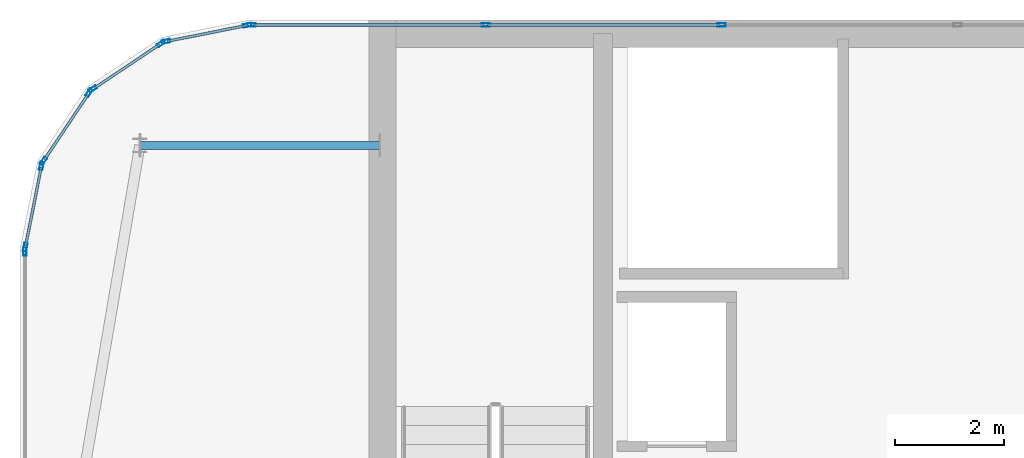
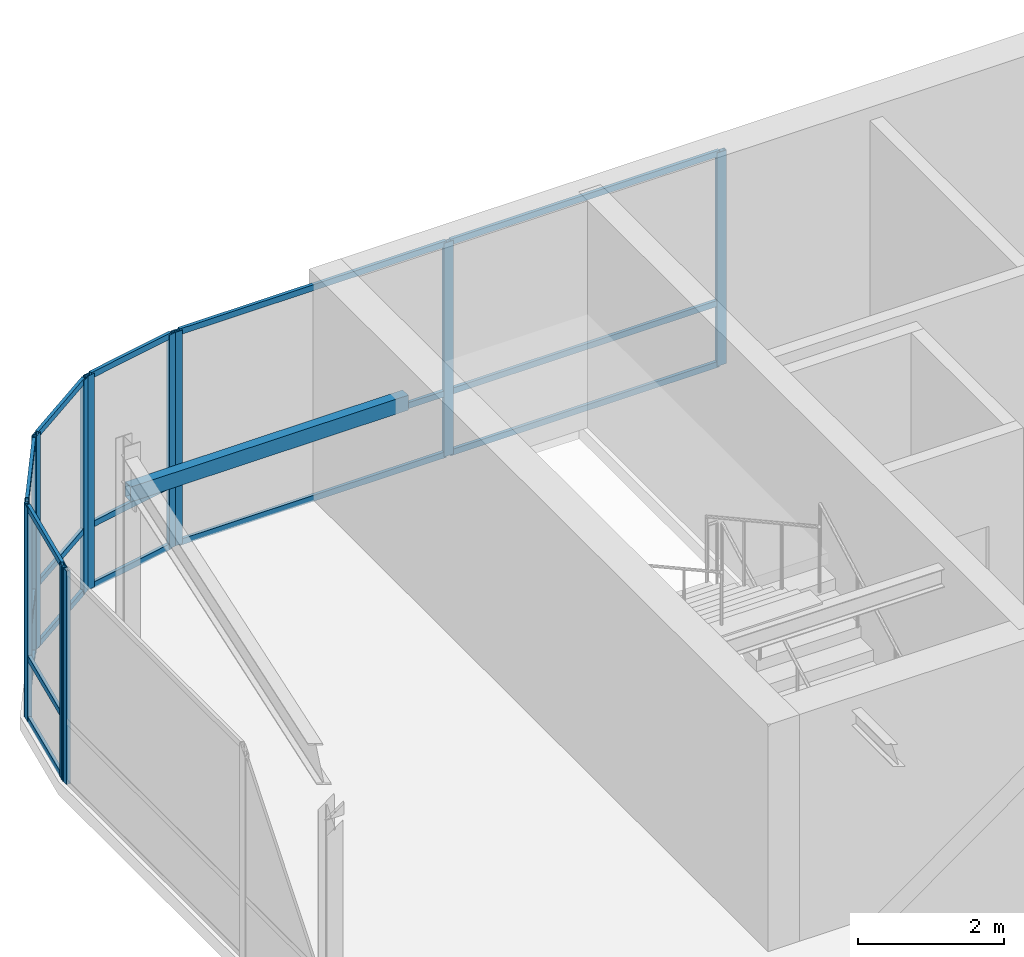
# One storey, part 26 of 36: 31 members, 6 elements without a shape of their own.
"""IFC4 building model written with IfcOpenShell, lengths in metres."""

from ifc_helpers import new_model, si_unit, direction, frame, origin, origin_2d, place, context, subcontext, project, spatial, hollow_rectangle, extrude, source, transform, mapped, material, layer, layer_set, material_profile, profile_set, type_object, type_shapes, element, aggregate, save


model = new_model("IFC4")

# Units and contexts
model_context = context("Model", 3, precision=1e-05, world=origin(), true_north=direction((0.0, 1.0)))
body_context = subcontext(model_context, "Body", "Model", "MODEL_VIEW")
ifc_project = project(units=[si_unit("LENGTHUNIT", "METRE"), si_unit("AREAUNIT", "SQUARE_METRE"), si_unit("VOLUMEUNIT", "CUBIC_METRE"), si_unit("PLANEANGLEUNIT", "RADIAN"), si_unit("MASSUNIT", "GRAM", prefix="KILO")], contexts=[model_context])

# Site, building, storey
site_placement = place(None, origin())
site = spatial("IfcSite", under=ifc_project, at=site_placement, CompositionType="ELEMENT")
building_placement = place(site_placement, origin())
building = spatial("IfcBuilding", under=site, at=building_placement, Name="Tolvann Quenvar Hotel", CompositionType="ELEMENT")
storey_placement = place(building_placement, frame((0.0, 0.0, 306.14990234375)))
storey = spatial("IfcBuildingStorey", under=building, at=storey_placement, Name="L81", CompositionType="ELEMENT", Elevation=306.14990234375)

# Member
ifc_material_1 = material(Name="Steel Grade 450 (C450L0)", Category="steel")
ifc_material_profile_1 = material_profile(ifc_material_1, hollow_rectangle(XDim=0.14990234375, YDim=0.25, WallThickness=0.009033203125, at=origin_2d()), Name="250x150x9RHS")
ifc_profile_set_1 = profile_set([ifc_material_profile_1], Name="Steel Grade 450 (C450L0)")
member_type_1 = type_object("IfcMemberType", Name="MEM_CROWN_250RHS", PredefinedType="USERDEFINED", material=ifc_profile_set_1)
shared_shape_1 = source(origin(), body_context, "Body", "SweptSolid", [
    extrude(hollow_rectangle(XDim=0.14990234375, YDim=0.25, WallThickness=0.009033203125, at=origin_2d()), origin(), (0.0, 0.0, 1.0), 4.39990234375),
])
type_shapes(member_type_1, [shared_shape_1])
member_1_placement = place(storey_placement, frame((5.800048828125, 41.89990234375, 2.93017578125), z_axis=(1.0, 0.0, 0.0), x_axis=(0.0, 1.0, 0.0)))
element("IfcMember", 1, at=member_1_placement, inside=storey, type_object=member_type_1, Name="Crown Frame Ring Member (L81-4)", ObjectType="CROWN FRAME", PredefinedType="USERDEFINED", context=body_context, shape_type="MappedRepresentation", body=[
    mapped(shared_shape_1, transform((0.0, 0.0, 0.0), x_axis=(1.0, 0.0, 0.0), y_axis=(0.0, 1.0, 0.0), z_axis=(0.0, 0.0, 1.0), scale=1.0)),
])

# Curtain wall, members
ifc_material_2 = material(Name="Thermally broken anodised architectural aluminium 6063-T6 and laminated low-E glass", Category="aluminium")
ifc_layer = layer(ifc_material_2, 0.179931640625)
ifc_layer_set = layer_set([ifc_layer], Name="Thermally broken anodised architectural aluminium 6063-T6 and laminated low-E glass")
curtain_wall_type = type_object("IfcCurtainWallType", Name="CW_SYS_LANT_06", PredefinedType="USERDEFINED", material=ifc_layer_set)
curtain_wall_1_placement = place(storey_placement, origin())
curtain_wall_1 = element("IfcCurtainWall", 2, at=curtain_wall_1_placement, inside=storey, type_object=curtain_wall_type, Name="Curtain Wall CW-LANT-06 (CWR-L81-E14)", ObjectType="UNITISED CURTAIN WALL", PredefinedType="USERDEFINED")
ifc_material_3 = material(Name="Anodised architectural aluminium 6063-T6 framing", Category="aluminium")
ifc_material_profile_2 = material_profile(ifc_material_3, hollow_rectangle(XDim=0.06494140625, YDim=0.14990234375, WallThickness=0.00390625, at=origin_2d()), Name="150x65x4RHS")
ifc_profile_set_2 = profile_set([ifc_material_profile_2], Name="Anodised architectural aluminium 6063-T6 framing")
member_type_2 = type_object("IfcMemberType", Name="CW_MULL_150x65", PredefinedType="MULLION", material=ifc_profile_set_2)
shared_shape_2 = source(origin(), body_context, "Body", "SweptSolid", [
    extrude(hollow_rectangle(XDim=0.06494140625, YDim=0.14990234375, WallThickness=0.00390625, at=origin_2d()), origin(), (0.0, 0.0, 1.0), 3.580078125),
])
type_shapes(member_type_2, [shared_shape_2])
member_2_placement = place(storey_placement, frame((16.472412109375, 44.110107421875, 0.0), z_axis=(0.0, 0.0, 1.0), x_axis=(0.0, -1.0, 0.0)))
member_2 = element("IfcMember", 3, at=member_2_placement, type_object=member_type_2, Name="CW-LANT-06 mullion 5", PredefinedType="MULLION", context=body_context, shape_type="MappedRepresentation", body=[
    mapped(shared_shape_2, transform((0.0, 0.0, 0.0), x_axis=(1.0, 0.0, 0.0), y_axis=(0.0, 1.0, 0.0), z_axis=(0.0, 0.0, 1.0), scale=1.0)),
])
member_3_placement = place(storey_placement, frame((12.144775390625, 44.110107421875, 0.0), z_axis=(0.0, 0.0, 1.0), x_axis=(0.0, -1.0, 0.0)))
member_3 = element("IfcMember", 4, at=member_3_placement, type_object=member_type_2, Name="CW-LANT-06 mullion 6", PredefinedType="MULLION", context=body_context, shape_type="MappedRepresentation", body=[
    mapped(shared_shape_2, transform((0.0, 0.0, 0.0), x_axis=(1.0, 0.0, 0.0), y_axis=(0.0, 1.0, 0.0), z_axis=(0.0, 0.0, 1.0), scale=1.0)),
])
member_4_placement = place(storey_placement, frame((7.849609375, 44.110107421875, 0.0), z_axis=(0.0, 0.0, 1.0), x_axis=(0.0, -1.0, 0.0)))
member_4 = element("IfcMember", 5, at=member_4_placement, type_object=member_type_2, Name="CW-LANT-06 mullion 7", PredefinedType="MULLION", context=body_context, shape_type="MappedRepresentation", body=[
    mapped(shared_shape_2, transform((0.0, 0.0, 0.0), x_axis=(1.0, 0.0, 0.0), y_axis=(0.0, 1.0, 0.0), z_axis=(0.0, 0.0, 1.0), scale=1.0)),
])

curtain_wall_2_placement = place(storey_placement, origin())
curtain_wall_2 = element("IfcCurtainWall", 6, at=curtain_wall_2_placement, inside=storey, type_object=curtain_wall_type, Name="Curtain Wall CW-LANT-06 (CWR-L81-E15)", ObjectType="UNITISED CURTAIN WALL", PredefinedType="USERDEFINED")
member_5_placement = place(storey_placement, frame((7.768798828125, 44.10205078125, 0.0), z_axis=(0.0, 0.0, 1.0), x_axis=(0.195061569369, -0.980790999222, 0.0)))
member_5 = element("IfcMember", 7, at=member_5_placement, type_object=member_type_2, Name="CW-LANT-06 mullion 1", PredefinedType="MULLION", context=body_context, shape_type="MappedRepresentation", body=[
    mapped(shared_shape_2, transform((0.0, 0.0, 0.0), x_axis=(1.0, 0.0, 0.0), y_axis=(0.0, 1.0, 0.0), z_axis=(0.0, 0.0, 1.0), scale=1.0)),
])
member_6_placement = place(storey_placement, frame((6.2763671875, 43.80517578125, 0.0), z_axis=(0.0, 0.0, 1.0), x_axis=(0.195061569369, -0.980790999222, 0.0)))
member_6 = element("IfcMember", 8, at=member_6_placement, type_object=member_type_2, Name="CW-LANT-06 mullion 2", PredefinedType="MULLION", context=body_context, shape_type="MappedRepresentation", body=[
    mapped(shared_shape_2, transform((0.0, 0.0, 0.0), x_axis=(1.0, 0.0, 0.0), y_axis=(0.0, 1.0, 0.0), z_axis=(0.0, 0.0, 1.0), scale=1.0)),
])

curtain_wall_3_placement = place(storey_placement, origin())
curtain_wall_3 = element("IfcCurtainWall", 9, at=curtain_wall_3_placement, inside=storey, type_object=curtain_wall_type, Name="Curtain Wall CW-LANT-06 (CWR-L81-E16)", ObjectType="UNITISED CURTAIN WALL", PredefinedType="USERDEFINED")
member_7_placement = place(storey_placement, frame((6.186767578125, 43.76806640625, 0.0), z_axis=(0.0, 0.0, 1.0), x_axis=(0.555655769644, -0.831412452193, 0.0)))
member_7 = element("IfcMember", 10, at=member_7_placement, type_object=member_type_2, Name="CW-LANT-06 mullion 1", PredefinedType="MULLION", context=body_context, shape_type="MappedRepresentation", body=[
    mapped(shared_shape_2, transform((0.0, 0.0, 0.0), x_axis=(1.0, 0.0, 0.0), y_axis=(0.0, 1.0, 0.0), z_axis=(0.0, 0.0, 1.0), scale=1.0)),
])
member_8_placement = place(storey_placement, frame((4.936279296875, 42.932373046875, 0.0), z_axis=(0.0, 0.0, 1.0), x_axis=(0.555655769644, -0.831412452193, 0.0)))
member_8 = element("IfcMember", 11, at=member_8_placement, type_object=member_type_2, Name="CW-LANT-06 mullion 2", PredefinedType="MULLION", context=body_context, shape_type="MappedRepresentation", body=[
    mapped(shared_shape_2, transform((0.0, 0.0, 0.0), x_axis=(1.0, 0.0, 0.0), y_axis=(0.0, 1.0, 0.0), z_axis=(0.0, 0.0, 1.0), scale=1.0)),
])

curtain_wall_4_placement = place(storey_placement, origin())
curtain_wall_4 = element("IfcCurtainWall", 12, at=curtain_wall_4_placement, inside=storey, type_object=curtain_wall_type, Name="Curtain Wall CW-LANT-06 (CWR-L81-E17)", ObjectType="UNITISED CURTAIN WALL", PredefinedType="USERDEFINED")
member_9_placement = place(storey_placement, frame((4.86767578125, 42.86376953125, 0.0), z_axis=(0.0, 0.0, 1.0), x_axis=(0.831412452193, -0.555655769644, 0.0)))
member_9 = element("IfcMember", 13, at=member_9_placement, type_object=member_type_2, Name="CW-LANT-06 mullion 1", PredefinedType="MULLION", context=body_context, shape_type="MappedRepresentation", body=[
    mapped(shared_shape_2, transform((0.0, 0.0, 0.0), x_axis=(1.0, 0.0, 0.0), y_axis=(0.0, 1.0, 0.0), z_axis=(0.0, 0.0, 1.0), scale=1.0)),
])
member_10_placement = place(storey_placement, frame((4.03173828125, 41.61328125, 0.0), z_axis=(0.0, 0.0, 1.0), x_axis=(0.831412452193, -0.555655769644, 0.0)))
member_10 = element("IfcMember", 14, at=member_10_placement, type_object=member_type_2, Name="CW-LANT-06 mullion 2", PredefinedType="MULLION", context=body_context, shape_type="MappedRepresentation", body=[
    mapped(shared_shape_2, transform((0.0, 0.0, 0.0), x_axis=(1.0, 0.0, 0.0), y_axis=(0.0, 1.0, 0.0), z_axis=(0.0, 0.0, 1.0), scale=1.0)),
])

curtain_wall_5_placement = place(storey_placement, origin())
curtain_wall_5 = element("IfcCurtainWall", 15, at=curtain_wall_5_placement, inside=storey, type_object=curtain_wall_type, Name="Curtain Wall CW-LANT-06 (CWR-L81-E18)", ObjectType="UNITISED CURTAIN WALL", PredefinedType="USERDEFINED")
member_11_placement = place(storey_placement, frame((3.994873046875, 41.523681640625, 0.0), z_axis=(0.0, 0.0, 1.0), x_axis=(0.980790999222, -0.195061569369, 0.0)))
member_11 = element("IfcMember", 16, at=member_11_placement, type_object=member_type_2, Name="CW-LANT-06 mullion 1", PredefinedType="MULLION", context=body_context, shape_type="MappedRepresentation", body=[
    mapped(shared_shape_2, transform((0.0, 0.0, 0.0), x_axis=(1.0, 0.0, 0.0), y_axis=(0.0, 1.0, 0.0), z_axis=(0.0, 0.0, 1.0), scale=1.0)),
])
member_12_placement = place(storey_placement, frame((3.697998046875, 40.03125, 0.0), z_axis=(0.0, 0.0, 1.0), x_axis=(0.980790999222, -0.195061569369, 0.0)))
member_12 = element("IfcMember", 17, at=member_12_placement, type_object=member_type_2, Name="CW-LANT-06 mullion 2", PredefinedType="MULLION", context=body_context, shape_type="MappedRepresentation", body=[
    mapped(shared_shape_2, transform((0.0, 0.0, 0.0), x_axis=(1.0, 0.0, 0.0), y_axis=(0.0, 1.0, 0.0), z_axis=(0.0, 0.0, 1.0), scale=1.0)),
])

# Curtain wall, member
curtain_wall_6_placement = place(storey_placement, origin())
curtain_wall_6 = element("IfcCurtainWall", 18, at=curtain_wall_6_placement, inside=storey, type_object=curtain_wall_type, Name="Curtain Wall CW-LANT-06 (CWR-L81-E19)", ObjectType="UNITISED CURTAIN WALL", PredefinedType="USERDEFINED")
member_13_placement = place(storey_placement, frame((3.68994140625, 39.9501953125, 0.0), z_axis=(0.0, 0.0, 1.0), x_axis=(1.0, 0.0, 0.0)))
member_13 = element("IfcMember", 19, at=member_13_placement, type_object=member_type_2, Name="CW-LANT-06 mullion 1", PredefinedType="MULLION", context=body_context, shape_type="MappedRepresentation", body=[
    mapped(shared_shape_2, transform((0.0, 0.0, 0.0), x_axis=(1.0, 0.0, 0.0), y_axis=(0.0, 1.0, 0.0), z_axis=(0.0, 0.0, 1.0), scale=1.0)),
])
aggregate(curtain_wall_6, [member_13])

# Member
ifc_material_profile_3 = material_profile(ifc_material_3, hollow_rectangle(XDim=0.050048828125, YDim=0.10009765625, WallThickness=0.0029296875, at=origin_2d()), Name="100x50x3RHS")
ifc_profile_set_3 = profile_set([ifc_material_profile_3], Name="Anodised architectural aluminium 6063-T6 framing")
member_type_3 = type_object("IfcMemberType", Name="CW_TRAN_100x50", PredefinedType="USERDEFINED", material=ifc_profile_set_3)
shared_shape_3 = source(origin(), body_context, "Body", "SweptSolid", [
    extrude(hollow_rectangle(XDim=0.050048828125, YDim=0.10009765625, WallThickness=0.0029296875, at=origin_2d()), origin(), (0.0, 0.0, 1.0), 1.439208984375),
])
member_14_placement = place(storey_placement, frame((6.15966796875, 43.75, 0.025146484375), z_axis=(-0.831449510818, -0.555600315839, 0.0), x_axis=(0.555600315839, -0.831449510818, 0.0)))
member_14 = element("IfcMember", 20, at=member_14_placement, type_object=member_type_3, Name="CW-LANT-06 transom 1.1", ObjectType="TRANSOM", PredefinedType="USERDEFINED", context=body_context, shape_type="MappedRepresentation", body=[
    mapped(shared_shape_3, transform((0.0, 0.0, 0.0), x_axis=(1.0, 0.0, 0.0), y_axis=(0.0, 1.0, 0.0), z_axis=(0.0, 0.0, 1.0), scale=1.0)),
])

member_15_placement = place(storey_placement, frame((6.15966796875, 43.75, 1.050048828125), z_axis=(-0.831449510818, -0.555600315839, 0.0), x_axis=(0.555600315839, -0.831449510818, 0.0)))
member_15 = element("IfcMember", 21, at=member_15_placement, type_object=member_type_3, Name="CW-LANT-06 transom 1.2", ObjectType="TRANSOM", PredefinedType="USERDEFINED", context=body_context, shape_type="MappedRepresentation", body=[
    mapped(shared_shape_3, transform((0.0, 0.0, 0.0), x_axis=(1.0, 0.0, 0.0), y_axis=(0.0, 1.0, 0.0), z_axis=(0.0, 0.0, 1.0), scale=1.0)),
])

member_16_placement = place(storey_placement, frame((6.15966796875, 43.75, 3.55517578125), z_axis=(-0.831449510818, -0.555600315839, 0.0), x_axis=(0.555600315839, -0.831449510818, 0.0)))
member_16 = element("IfcMember", 22, at=member_16_placement, type_object=member_type_3, Name="CW-LANT-06 transom 1.3", ObjectType="TRANSOM", PredefinedType="USERDEFINED", context=body_context, shape_type="MappedRepresentation", body=[
    mapped(shared_shape_3, transform((0.0, 0.0, 0.0), x_axis=(1.0, 0.0, 0.0), y_axis=(0.0, 1.0, 0.0), z_axis=(0.0, 0.0, 1.0), scale=1.0)),
])

aggregate(curtain_wall_3, [member_7, member_8, member_14, member_15, member_16])

member_17_placement = place(storey_placement, frame((4.849609375, 42.836669921875, 0.025146484375), z_axis=(-0.555717578985, -0.831371139989, 0.0), x_axis=(0.831371139989, -0.555717578985, 0.0)))
member_17 = element("IfcMember", 23, at=member_17_placement, type_object=member_type_3, Name="CW-LANT-06 transom 1.1", ObjectType="TRANSOM", PredefinedType="USERDEFINED", context=body_context, shape_type="MappedRepresentation", body=[
    mapped(shared_shape_3, transform((0.0, 0.0, 0.0), x_axis=(1.0, 0.0, 0.0), y_axis=(0.0, 1.0, 0.0), z_axis=(0.0, 0.0, 1.0), scale=1.0)),
])

member_18_placement = place(storey_placement, frame((4.849609375, 42.836669921875, 1.050048828125), z_axis=(-0.555717578985, -0.831371139989, 0.0), x_axis=(0.831371139989, -0.555717578985, 0.0)))
member_18 = element("IfcMember", 24, at=member_18_placement, type_object=member_type_3, Name="CW-LANT-06 transom 1.2", ObjectType="TRANSOM", PredefinedType="USERDEFINED", context=body_context, shape_type="MappedRepresentation", body=[
    mapped(shared_shape_3, transform((0.0, 0.0, 0.0), x_axis=(1.0, 0.0, 0.0), y_axis=(0.0, 1.0, 0.0), z_axis=(0.0, 0.0, 1.0), scale=1.0)),
])

member_19_placement = place(storey_placement, frame((4.849609375, 42.836669921875, 3.55517578125), z_axis=(-0.555717578985, -0.831371139989, 0.0), x_axis=(0.831371139989, -0.555717578985, 0.0)))
member_19 = element("IfcMember", 25, at=member_19_placement, type_object=member_type_3, Name="CW-LANT-06 transom 1.3", ObjectType="TRANSOM", PredefinedType="USERDEFINED", context=body_context, shape_type="MappedRepresentation", body=[
    mapped(shared_shape_3, transform((0.0, 0.0, 0.0), x_axis=(1.0, 0.0, 0.0), y_axis=(0.0, 1.0, 0.0), z_axis=(0.0, 0.0, 1.0), scale=1.0)),
])

aggregate(curtain_wall_4, [member_9, member_10, member_17, member_18, member_19])

shared_shape_4 = source(origin(), body_context, "Body", "SweptSolid", [
    extrude(hollow_rectangle(XDim=0.050048828125, YDim=0.10009765625, WallThickness=0.0029296875, at=origin_2d()), origin(), (0.0, 0.0, 1.0), 1.456787109375),
])
member_20_placement = place(storey_placement, frame((7.73681640625, 44.095703125, 0.025146484375), z_axis=(-0.980786408364, -0.195084651288, 0.0), x_axis=(0.195084651288, -0.980786408364, 0.0)))
member_20 = element("IfcMember", 26, at=member_20_placement, type_object=member_type_3, Name="CW-LANT-06 transom 1.1", ObjectType="TRANSOM", PredefinedType="USERDEFINED", context=body_context, shape_type="MappedRepresentation", body=[
    mapped(shared_shape_4, transform((0.0, 0.0, 0.0), x_axis=(1.0, 0.0, 0.0), y_axis=(0.0, 1.0, 0.0), z_axis=(0.0, 0.0, 1.0), scale=1.0)),
])

member_21_placement = place(storey_placement, frame((7.73681640625, 44.095703125, 1.050048828125), z_axis=(-0.980786408364, -0.195084651288, 0.0), x_axis=(0.195084651288, -0.980786408364, 0.0)))
member_21 = element("IfcMember", 27, at=member_21_placement, type_object=member_type_3, Name="CW-LANT-06 transom 1.2", ObjectType="TRANSOM", PredefinedType="USERDEFINED", context=body_context, shape_type="MappedRepresentation", body=[
    mapped(shared_shape_4, transform((0.0, 0.0, 0.0), x_axis=(1.0, 0.0, 0.0), y_axis=(0.0, 1.0, 0.0), z_axis=(0.0, 0.0, 1.0), scale=1.0)),
])

member_22_placement = place(storey_placement, frame((7.73681640625, 44.095703125, 3.55517578125), z_axis=(-0.980786408364, -0.195084651288, 0.0), x_axis=(0.195084651288, -0.980786408364, 0.0)))
member_22 = element("IfcMember", 28, at=member_22_placement, type_object=member_type_3, Name="CW-LANT-06 transom 1.3", ObjectType="TRANSOM", PredefinedType="USERDEFINED", context=body_context, shape_type="MappedRepresentation", body=[
    mapped(shared_shape_4, transform((0.0, 0.0, 0.0), x_axis=(1.0, 0.0, 0.0), y_axis=(0.0, 1.0, 0.0), z_axis=(0.0, 0.0, 1.0), scale=1.0)),
])

aggregate(curtain_wall_2, [member_5, member_6, member_20, member_21, member_22])

member_23_placement = place(storey_placement, frame((3.988525390625, 41.491943359375, 0.025146484375), z_axis=(-0.195084651288, -0.980786408364, 0.0), x_axis=(0.980786408364, -0.195084651288, 0.0)))
member_23 = element("IfcMember", 29, at=member_23_placement, type_object=member_type_3, Name="CW-LANT-06 transom 1.1", ObjectType="TRANSOM", PredefinedType="USERDEFINED", context=body_context, shape_type="MappedRepresentation", body=[
    mapped(shared_shape_4, transform((0.0, 0.0, 0.0), x_axis=(1.0, 0.0, 0.0), y_axis=(0.0, 1.0, 0.0), z_axis=(0.0, 0.0, 1.0), scale=1.0)),
])

member_24_placement = place(storey_placement, frame((3.988525390625, 41.491943359375, 1.050048828125), z_axis=(-0.195084651288, -0.980786408364, 0.0), x_axis=(0.980786408364, -0.195084651288, 0.0)))
member_24 = element("IfcMember", 30, at=member_24_placement, type_object=member_type_3, Name="CW-LANT-06 transom 1.2", ObjectType="TRANSOM", PredefinedType="USERDEFINED", context=body_context, shape_type="MappedRepresentation", body=[
    mapped(shared_shape_4, transform((0.0, 0.0, 0.0), x_axis=(1.0, 0.0, 0.0), y_axis=(0.0, 1.0, 0.0), z_axis=(0.0, 0.0, 1.0), scale=1.0)),
])

member_25_placement = place(storey_placement, frame((3.988525390625, 41.491943359375, 3.55517578125), z_axis=(-0.195084651288, -0.980786408364, 0.0), x_axis=(0.980786408364, -0.195084651288, 0.0)))
member_25 = element("IfcMember", 31, at=member_25_placement, type_object=member_type_3, Name="CW-LANT-06 transom 1.3", ObjectType="TRANSOM", PredefinedType="USERDEFINED", context=body_context, shape_type="MappedRepresentation", body=[
    mapped(shared_shape_4, transform((0.0, 0.0, 0.0), x_axis=(1.0, 0.0, 0.0), y_axis=(0.0, 1.0, 0.0), z_axis=(0.0, 0.0, 1.0), scale=1.0)),
])

aggregate(curtain_wall_5, [member_11, member_12, member_23, member_24, member_25])

shared_shape_5 = source(origin(), body_context, "Body", "SweptSolid", [
    extrude(hollow_rectangle(XDim=0.050048828125, YDim=0.10009765625, WallThickness=0.0029296875, at=origin_2d()), origin(), (0.0, 0.0, 1.0), 4.230224609375),
])
member_26_placement = place(storey_placement, frame((12.1123046875, 44.110107421875, 0.025146484375), z_axis=(-1.0, 0.0, 0.0), x_axis=(0.0, -1.0, 0.0)))
member_26 = element("IfcMember", 32, at=member_26_placement, type_object=member_type_3, Name="CW-LANT-06 transom 6.1", ObjectType="TRANSOM", PredefinedType="USERDEFINED", context=body_context, shape_type="MappedRepresentation", body=[
    mapped(shared_shape_5, transform((0.0, 0.0, 0.0), x_axis=(1.0, 0.0, 0.0), y_axis=(0.0, 1.0, 0.0), z_axis=(0.0, 0.0, 1.0), scale=1.0)),
])

member_27_placement = place(storey_placement, frame((12.1123046875, 44.110107421875, 1.050048828125), z_axis=(-1.0, 0.0, 0.0), x_axis=(0.0, -1.0, 0.0)))
member_27 = element("IfcMember", 33, at=member_27_placement, type_object=member_type_3, Name="CW-LANT-06 transom 6.2", ObjectType="TRANSOM", PredefinedType="USERDEFINED", context=body_context, shape_type="MappedRepresentation", body=[
    mapped(shared_shape_5, transform((0.0, 0.0, 0.0), x_axis=(1.0, 0.0, 0.0), y_axis=(0.0, 1.0, 0.0), z_axis=(0.0, 0.0, 1.0), scale=1.0)),
])

member_28_placement = place(storey_placement, frame((12.1123046875, 44.110107421875, 3.55517578125), z_axis=(-1.0, 0.0, 0.0), x_axis=(0.0, -1.0, 0.0)))
member_28 = element("IfcMember", 34, at=member_28_placement, type_object=member_type_3, Name="CW-LANT-06 transom 6.3", ObjectType="TRANSOM", PredefinedType="USERDEFINED", context=body_context, shape_type="MappedRepresentation", body=[
    mapped(shared_shape_5, transform((0.0, 0.0, 0.0), x_axis=(1.0, 0.0, 0.0), y_axis=(0.0, 1.0, 0.0), z_axis=(0.0, 0.0, 1.0), scale=1.0)),
])

shared_shape_6 = source(origin(), body_context, "Body", "SweptSolid", [
    extrude(hollow_rectangle(XDim=0.050048828125, YDim=0.10009765625, WallThickness=0.0029296875, at=origin_2d()), origin(), (0.0, 0.0, 1.0), 4.2626953125),
])
type_shapes(member_type_3, [shared_shape_3, shared_shape_4, shared_shape_5, shared_shape_6])
member_29_placement = place(storey_placement, frame((16.43994140625, 44.110107421875, 0.025146484375), z_axis=(-1.0, 0.0, 0.0), x_axis=(0.0, -1.0, 0.0)))
member_29 = element("IfcMember", 35, at=member_29_placement, type_object=member_type_3, Name="CW-LANT-06 transom 5.1", ObjectType="TRANSOM", PredefinedType="USERDEFINED", context=body_context, shape_type="MappedRepresentation", body=[
    mapped(shared_shape_6, transform((0.0, 0.0, 0.0), x_axis=(1.0, 0.0, 0.0), y_axis=(0.0, 1.0, 0.0), z_axis=(0.0, 0.0, 1.0), scale=1.0)),
])

member_30_placement = place(storey_placement, frame((16.43994140625, 44.110107421875, 1.050048828125), z_axis=(-1.0, 0.0, 0.0), x_axis=(0.0, -1.0, 0.0)))
member_30 = element("IfcMember", 36, at=member_30_placement, type_object=member_type_3, Name="CW-LANT-06 transom 5.2", ObjectType="TRANSOM", PredefinedType="USERDEFINED", context=body_context, shape_type="MappedRepresentation", body=[
    mapped(shared_shape_6, transform((0.0, 0.0, 0.0), x_axis=(1.0, 0.0, 0.0), y_axis=(0.0, 1.0, 0.0), z_axis=(0.0, 0.0, 1.0), scale=1.0)),
])

member_31_placement = place(storey_placement, frame((16.43994140625, 44.110107421875, 3.55517578125), z_axis=(-1.0, 0.0, 0.0), x_axis=(0.0, -1.0, 0.0)))
member_31 = element("IfcMember", 37, at=member_31_placement, type_object=member_type_3, Name="CW-LANT-06 transom 5.3", ObjectType="TRANSOM", PredefinedType="USERDEFINED", context=body_context, shape_type="MappedRepresentation", body=[
    mapped(shared_shape_6, transform((0.0, 0.0, 0.0), x_axis=(1.0, 0.0, 0.0), y_axis=(0.0, 1.0, 0.0), z_axis=(0.0, 0.0, 1.0), scale=1.0)),
])

aggregate(curtain_wall_1, [member_2, member_3, member_4, member_29, member_30, member_31, member_26, member_27, member_28])

save(model, "model.ifc")
